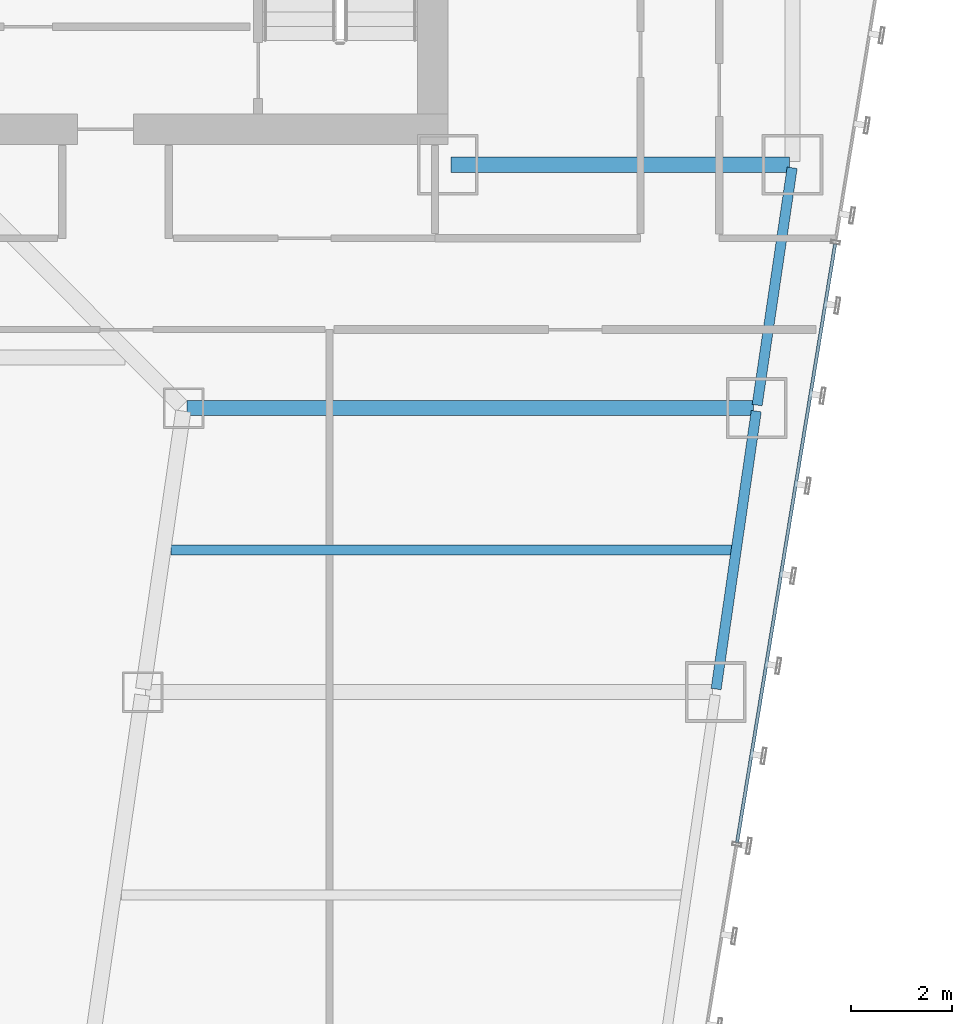
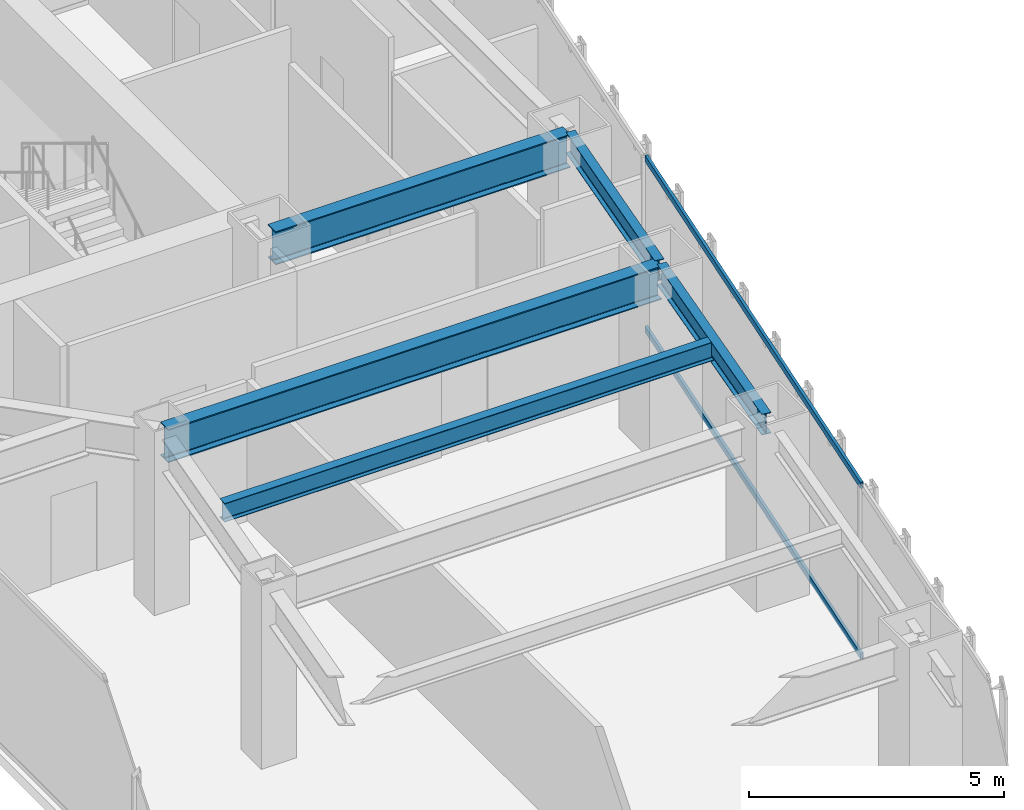
# One storey, part 30 of 47: 5 beams, 2 members, 1 element without a shape of its own.
"""IFC4 building model written with IfcOpenShell, lengths in metres."""

from ifc_helpers import new_model, si_unit, direction, frame, origin, origin_2d, place, context, subcontext, project, spatial, hollow_rectangle, i_section, extrude, material, material_profile, profile_set, type_object, element, aggregate, save


model = new_model("IFC4")

# Units and contexts
model_context = context("Model", 3, precision=1e-05, world=origin(), true_north=direction((0.0, 1.0)))
body_context = subcontext(model_context, "Body", "Model", "MODEL_VIEW")
ifc_project = project(units=[si_unit("LENGTHUNIT", "METRE"), si_unit("AREAUNIT", "SQUARE_METRE"), si_unit("VOLUMEUNIT", "CUBIC_METRE"), si_unit("PLANEANGLEUNIT", "RADIAN"), si_unit("MASSUNIT", "GRAM", prefix="KILO")], contexts=[model_context])

# Site, building, storey
site_placement = place(None, origin())
site = spatial("IfcSite", under=ifc_project, at=site_placement, CompositionType="ELEMENT")
building_placement = place(site_placement, origin())
building = spatial("IfcBuilding", under=site, at=building_placement, Name="Saevonmaru Cultural Tower", CompositionType="ELEMENT")
storey_placement = place(building_placement, frame((0.0, 0.0, 47.199951171875)))
storey = spatial("IfcBuildingStorey", under=building, at=storey_placement, Name="L09", CompositionType="ELEMENT", Elevation=47.199951171875)

# Beams
ifc_material_1 = material(Name="Steel SM420", Category="steel")
ifc_material_profile_1 = material_profile(ifc_material_1, i_section(OverallWidth=0.300048828125, OverallDepth=0.800048828125, WebThickness=0.013916015625, FlangeThickness=0.02587890625, FilletRadius=0.028076171875, at=origin_2d()), Name="H-800x300x14x26")
ifc_profile_set_1 = profile_set([ifc_material_profile_1], Name="Steel SM420")
beam_type_1 = type_object("IfcBeamType", Name="BM-G-H800", PredefinedType="BEAM", material=ifc_profile_set_1)
beam_1_placement = place(storey_placement, frame((46.4599609375, 42.39990234375, 3.75), z_axis=(1.0, 0.0, 0.0), x_axis=(0.0, 1.0, 0.0)))
element("IfcBeam", 1, at=beam_1_placement, inside=storey, type_object=beam_type_1, Name="L09 Core South Girder 5", PredefinedType="BEAM", context=body_context, shape_type="SweptSolid", body=[
    extrude(i_section(OverallWidth=0.300048828125, OverallDepth=0.800048828125, WebThickness=0.013916015625, FlangeThickness=0.02587890625, FilletRadius=0.028076171875, at=origin_2d()), origin(), (0.0, 0.0, 1.0), 6.679931640625),
])
beam_2_placement = place(storey_placement, frame((41.251953125, 37.60009765625, 3.75), z_axis=(1.0, 0.0, 0.0), x_axis=(0.0, 1.0, 0.0)))
element("IfcBeam", 2, at=beam_2_placement, inside=storey, type_object=beam_type_1, Name="L09 East Wing Transverse Girder 6", PredefinedType="BEAM", context=body_context, shape_type="SweptSolid", body=[
    extrude(i_section(OverallWidth=0.300048828125, OverallDepth=0.800048828125, WebThickness=0.013916015625, FlangeThickness=0.02587890625, FilletRadius=0.028076171875, at=origin_2d()), origin(), (0.0, 0.0, 1.0), 11.179931640625),
])
ifc_material_2 = material(Name="Steel SM355", Category="steel")
ifc_material_profile_2 = material_profile(ifc_material_2, i_section(OverallWidth=0.199951171875, OverallDepth=0.449951171875, WebThickness=0.009033203125, FlangeThickness=0.013916015625, FilletRadius=0.01806640625, at=origin_2d()), Name="H-450x200x9x14")
ifc_profile_set_2 = profile_set([ifc_material_profile_2], Name="Steel SM355")
beam_type_2 = type_object("IfcBeamType", Name="BM-J-H450", PredefinedType="JOIST", material=ifc_profile_set_2)
beam_3_placement = place(storey_placement, frame((40.945556640625, 34.800048828125, 3.925048828125), z_axis=(1.0, 0.0, 0.0), x_axis=(0.0, 1.0, 0.0)))
element("IfcBeam", 3, at=beam_3_placement, inside=storey, type_object=beam_type_2, Name="L09 East Wing Floor Joist 5", PredefinedType="JOIST", context=body_context, shape_type="SweptSolid", body=[
    extrude(i_section(OverallWidth=0.199951171875, OverallDepth=0.449951171875, WebThickness=0.009033203125, FlangeThickness=0.013916015625, FilletRadius=0.01806640625, at=origin_2d()), origin(), (0.0, 0.0, 1.0), 11.08203125),
])
ifc_material_profile_3 = material_profile(ifc_material_2, i_section(OverallWidth=0.199951171875, OverallDepth=0.5, WebThickness=0.010009765625, FlangeThickness=0.01611328125, FilletRadius=0.02001953125, at=origin_2d()), Name="H-500x200x10x16")
ifc_profile_set_3 = profile_set([ifc_material_profile_3], Name="Steel SM355")
beam_type_3 = type_object("IfcBeamType", Name="BM-SP-H500", PredefinedType="SPANDREL", material=ifc_profile_set_3)
beam_4_placement = place(storey_placement, frame((51.691650390625, 32.059326171875, 3.900146484375), z_axis=(0.142964121327, 0.989727871697, 0.0), x_axis=(-0.989727871697, 0.142964121327, 0.0)))
element("IfcBeam", 4, at=beam_4_placement, inside=storey, type_object=beam_type_3, Name="L09 East Splayed Spandrel 5", PredefinedType="SPANDREL", context=body_context, shape_type="SweptSolid", body=[
    extrude(i_section(OverallWidth=0.199951171875, OverallDepth=0.5, WebThickness=0.010009765625, FlangeThickness=0.01611328125, FilletRadius=0.02001953125, at=origin_2d()), origin(), (0.0, 0.0, 1.0), 5.5380859375),
])
beam_5_placement = place(storey_placement, frame((52.500732421875, 37.659423828125, 3.900146484375), z_axis=(0.145912860028, 0.989297446312, 0.0), x_axis=(-0.989297446312, 0.145912860028, 0.0)))
element("IfcBeam", 5, at=beam_5_placement, inside=storey, type_object=beam_type_3, Name="L09 East Splayed Spandrel 6", PredefinedType="SPANDREL", context=body_context, shape_type="SweptSolid", body=[
    extrude(i_section(OverallWidth=0.199951171875, OverallDepth=0.5, WebThickness=0.010009765625, FlangeThickness=0.01611328125, FilletRadius=0.02001953125, at=origin_2d()), origin(), (0.0, 0.0, 1.0), 4.731689453125),
])

# Curtain wall, members
ifc_material_3 = material(Name="Satin Bronze Anodised Aluminium", Category="aluminium")
curtain_wall_type = type_object("IfcCurtainWallType", Name="CW-TYP-A", PredefinedType="NOTDEFINED", material=ifc_material_3)
curtain_wall_placement = place(storey_placement, origin())
curtain_wall = element("IfcCurtainWall", 6, at=curtain_wall_placement, inside=storey, type_object=curtain_wall_type, Name="L09 Unitised Curtain Wall E8", PredefinedType="NOTDEFINED")
ifc_material_profile_4 = material_profile(ifc_material_3, hollow_rectangle(XDim=0.06494140625, YDim=0.14990234375, WallThickness=0.00390625, at=origin_2d()), Name="ALU-TRAN-150x65x4")
ifc_profile_set_4 = profile_set([ifc_material_profile_4], Name="Satin Bronze Anodised Aluminium")
member_type = type_object("IfcMemberType", Name="TR-CW-150x65", PredefinedType="USERDEFINED", material=ifc_profile_set_4)
member_1_placement = place(storey_placement, frame((52.105224609375, 29.031982421875, 0.032470703125), z_axis=(0.161701400727, 0.986839732177, 0.0), x_axis=(-0.986839732177, 0.161701400727, 0.0)))
member_1 = element("IfcMember", 7, at=member_1_placement, type_object=member_type, Name="CW-TW-L09-E8 transom 3.1", ObjectType="TRANSOM", PredefinedType="USERDEFINED", context=body_context, shape_type="SweptSolid", body=[
    extrude(hollow_rectangle(XDim=0.06494140625, YDim=0.14990234375, WallThickness=0.00390625, at=origin_2d()), origin(), (0.0, 0.0, 1.0), 11.9638671875),
])
member_2_placement = place(storey_placement, frame((52.105224609375, 29.031982421875, 4.117431640625), z_axis=(0.161701400727, 0.986839732177, 0.0), x_axis=(-0.986839732177, 0.161701400727, 0.0)))
member_2 = element("IfcMember", 8, at=member_2_placement, type_object=member_type, Name="CW-TW-L09-E8 transom 3.2", ObjectType="TRANSOM", PredefinedType="USERDEFINED", context=body_context, shape_type="SweptSolid", body=[
    extrude(hollow_rectangle(XDim=0.06494140625, YDim=0.14990234375, WallThickness=0.00390625, at=origin_2d()), origin(), (0.0, 0.0, 1.0), 11.9638671875),
])
aggregate(curtain_wall, [member_1, member_2])

save(model, "model.ifc")
